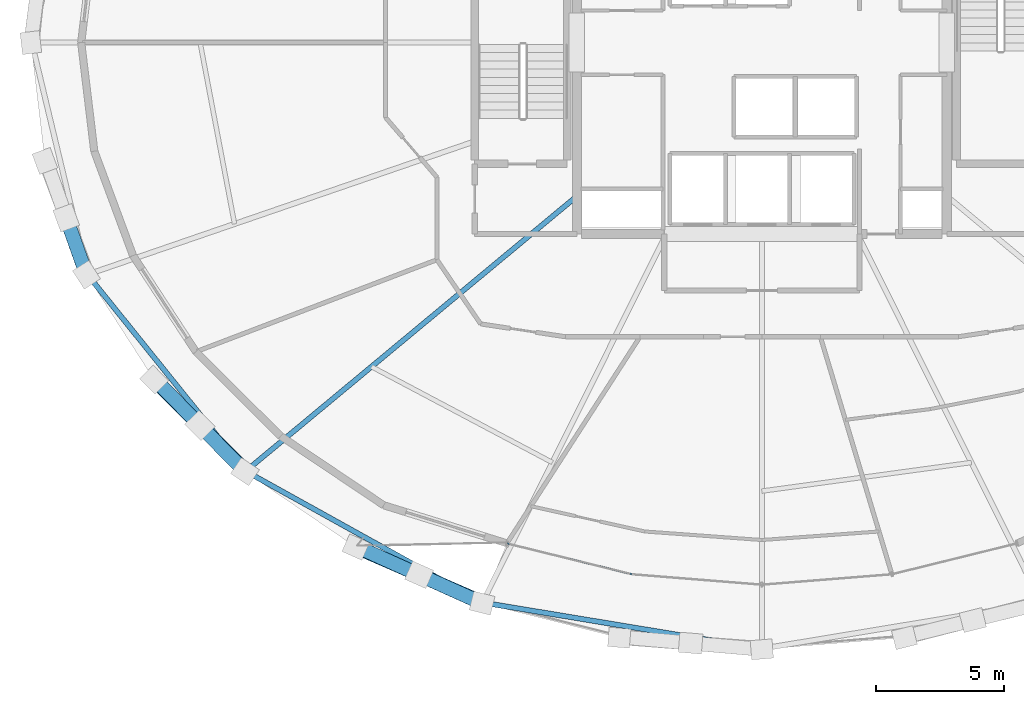
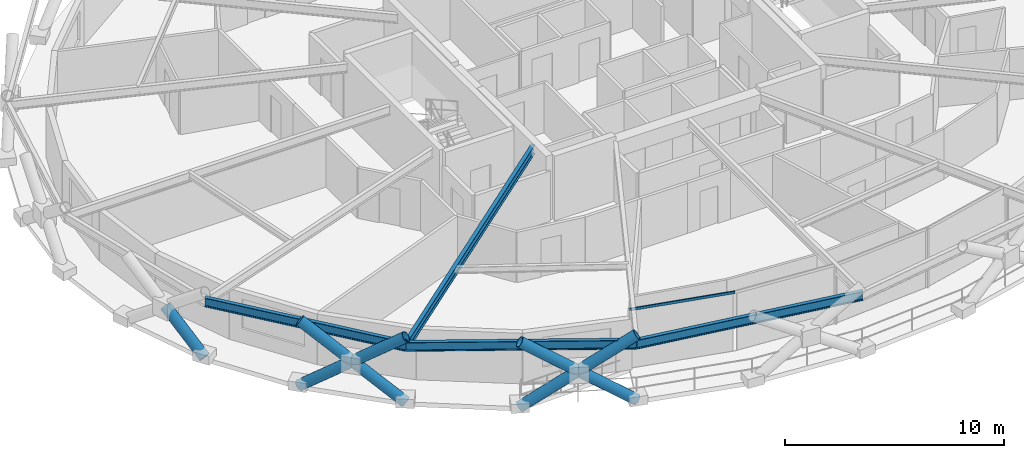
# One storey, part 1 of 21: 8 members, 4 beams, 1 element without a shape of its own.
"""IFC4 building model written with IfcOpenShell, lengths in metres."""

from ifc_helpers import new_model, si_unit, direction, frame, origin, origin_2d, place, context, subcontext, project, spatial, hollow_rectangle, hollow_circle, i_section, extrude, material, layer, layer_set, material_profile, profile_set, type_object, element, aggregate, save


model = new_model("IFC4")

# Units and contexts
model_context = context("Model", 3, precision=1e-05, world=origin(), true_north=direction((0.0, 1.0)))
body_context = subcontext(model_context, "Body", "Model", "MODEL_VIEW")
ifc_project = project(units=[si_unit("LENGTHUNIT", "METRE"), si_unit("AREAUNIT", "SQUARE_METRE"), si_unit("VOLUMEUNIT", "CUBIC_METRE"), si_unit("PLANEANGLEUNIT", "RADIAN"), si_unit("MASSUNIT", "GRAM", prefix="KILO")], contexts=[model_context])

# Site, building, storey
site_placement = place(None, origin())
site = spatial("IfcSite", under=ifc_project, at=site_placement, CompositionType="ELEMENT")
building_placement = place(site_placement, origin())
building = spatial("IfcBuilding", under=site, at=building_placement, Name="Veldorina Hangang Commons", CompositionType="ELEMENT")
storey_placement = place(building_placement, frame((0.0, 0.0, 138.800048828125)))
storey = spatial("IfcBuildingStorey", under=building, at=storey_placement, Name="L35", CompositionType="ELEMENT", Elevation=138.800048828125)

# Beams
ifc_material_1 = material(Name="Steel SM420-TMC", Category="steel")
ifc_material_profile_1 = material_profile(ifc_material_1, i_section(OverallWidth=0.199951171875, OverallDepth=0.5, WebThickness=0.010009765625, FlangeThickness=0.01611328125, FilletRadius=0.01611328125, at=origin_2d()), Name="H-500x200x10x16")
ifc_profile_set_1 = profile_set([ifc_material_profile_1], Name="Steel SM420-TMC")
beam_type_1 = type_object("IfcBeamType", Name="BM-FG500", PredefinedType="BEAM", material=ifc_profile_set_1)
beam_1_placement = place(storey_placement, frame((24.800048828125, 18.022705078125, 3.099853515625), z_axis=(-0.76940907392, -0.638756351804, 0.0), x_axis=(0.638756351804, -0.76940907392, 0.0)))
element("IfcBeam", 1, at=beam_1_placement, inside=storey, type_object=beam_type_1, Name="L35 radial floor girder 11", PredefinedType="BEAM", context=body_context, shape_type="SweptSolid", body=[
    extrude(i_section(OverallWidth=0.199951171875, OverallDepth=0.5, WebThickness=0.010009765625, FlangeThickness=0.01611328125, FilletRadius=0.01611328125, at=origin_2d()), origin(), (0.0, 0.0, 1.0), 16.761474609375),
])
ifc_material_profile_2 = material_profile(ifc_material_1, i_section(OverallWidth=0.199951171875, OverallDepth=0.5, WebThickness=0.010009765625, FlangeThickness=0.01611328125, FilletRadius=0.01611328125, at=origin_2d()), Name="H-500x200x10x16")
ifc_profile_set_2 = profile_set([ifc_material_profile_2], Name="Steel SM420-TMC")
beam_type_2 = type_object("IfcBeamType", Name="BM-RB500", PredefinedType="BEAM", material=ifc_profile_set_2)
beam_2_placement = place(storey_placement, frame((5.74267578125, 14.970703125, 3.099853515625), z_axis=(0.627004256478, -0.779015829338, 0.0), x_axis=(0.779015829338, 0.627004256478, 0.0)))
element("IfcBeam", 2, at=beam_2_placement, inside=storey, type_object=beam_type_2, Name="L35 perimeter hoop ring beam 18", PredefinedType="BEAM", context=body_context, shape_type="SweptSolid", body=[
    extrude(i_section(OverallWidth=0.199951171875, OverallDepth=0.5, WebThickness=0.010009765625, FlangeThickness=0.01611328125, FilletRadius=0.01611328125, at=origin_2d()), origin(), (0.0, 0.0, 1.0), 9.825927734375),
])
beam_3_placement = place(storey_placement, frame((11.903564453125, 7.316162109375, 3.099853515625), z_axis=(0.874462920475, -0.485092363076, 0.0), x_axis=(0.485092363076, 0.874462920475, 0.0)))
element("IfcBeam", 3, at=beam_3_placement, inside=storey, type_object=beam_type_2, Name="L35 perimeter hoop ring beam 20", PredefinedType="BEAM", context=body_context, shape_type="SweptSolid", body=[
    extrude(i_section(OverallWidth=0.199951171875, OverallDepth=0.5, WebThickness=0.010009765625, FlangeThickness=0.01611328125, FilletRadius=0.01611328125, at=origin_2d()), origin(), (0.0, 0.0, 1.0), 10.5439453125),
])
beam_4_placement = place(storey_placement, frame((21.123779296875, 2.201416015625, 3.099853515625), z_axis=(0.986640020354, -0.162915530982, 0.0), x_axis=(0.162915530982, 0.986640020354, 0.0)))
element("IfcBeam", 4, at=beam_4_placement, inside=storey, type_object=beam_type_2, Name="L35 perimeter hoop ring beam 22", PredefinedType="BEAM", context=body_context, shape_type="SweptSolid", body=[
    extrude(i_section(OverallWidth=0.199951171875, OverallDepth=0.5, WebThickness=0.010009765625, FlangeThickness=0.01611328125, FilletRadius=0.01611328125, at=origin_2d()), origin(), (0.0, 0.0, 1.0), 11.0234375),
])

# Curtain wall, member
ifc_material_2 = material(Name="Glass Low-E Triple IGU", Category="glass")
ifc_layer = layer(ifc_material_2, 0.179931640625)
ifc_layer_set = layer_set([ifc_layer], Name="Glass Low-E Triple IGU")
curtain_wall_type = type_object("IfcCurtainWallType", Name="CW-SYS-Z2", PredefinedType="NOTDEFINED", material=ifc_layer_set)
curtain_wall_placement = place(storey_placement, origin())
curtain_wall = element("IfcCurtainWall", 5, at=curtain_wall_placement, inside=storey, type_object=curtain_wall_type, Name="L35 unitised curtain wall CW-L35-R1", PredefinedType="NOTDEFINED")
ifc_material_3 = material(Name="Aluminium Anodized AA6063-T6", Category="aluminium")
ifc_material_profile_3 = material_profile(ifc_material_3, hollow_rectangle(XDim=0.06005859375, YDim=0.139892578125, WallThickness=0.00341796875, at=origin_2d()), Name="ALU-RHS-140x60x3.5")
ifc_profile_set_3 = profile_set([ifc_material_profile_3], Name="Aluminium Anodized AA6063-T6")
member_type_1 = type_object("IfcMemberType", Name="CW-TRN-140", PredefinedType="USERDEFINED", material=ifc_profile_set_3)
member_1_placement = place(storey_placement, frame((22.07373046875, 4.50537109375, 3.27001953125), z_axis=(0.970880100909, -0.239565919235, 0.0), x_axis=(0.239565919235, 0.970880100909, 0.0)))
member_1 = element("IfcMember", 6, at=member_1_placement, type_object=member_type_1, Name="CW-L35-R1 facet 1 transom 1", ObjectType="TRANSOM", PredefinedType="USERDEFINED", context=body_context, shape_type="SweptSolid", body=[
    extrude(hollow_rectangle(XDim=0.06005859375, YDim=0.139892578125, WallThickness=0.00341796875, at=origin_2d()), origin(), (0.0, 0.0, 1.0), 5.011962890625),
])
aggregate(curtain_wall, [member_1])

# Members
ifc_material_profile_4 = material_profile(ifc_material_1, hollow_circle(Radius=0.27490234375, WallThickness=0.028076171875, at=origin_2d()), Name="CHS-550x28")
ifc_profile_set_4 = profile_set([ifc_material_profile_4], Name="Steel SM420-TMC")
member_type_2 = type_object("IfcMemberType", Name="DG-CHS550", PredefinedType="BRACE", material=ifc_profile_set_4)
member_2_placement = place(storey_placement, frame((5.7080078125, 14.960693359375, 0.0), z_axis=(-0.266061532807, 0.748545024076, 0.60736447681), x_axis=(-0.942249574665, -0.334911539131, 0.0)))
element("IfcMember", 7, at=member_2_placement, inside=storey, type_object=member_type_2, Name="L35 split perimeter diagrid lower brace 18", PredefinedType="BRACE", context=body_context, shape_type="SweptSolid", body=[
    extrude(hollow_circle(Radius=0.27490234375, WallThickness=0.028076171875, at=origin_2d()), origin(), (0.0, 0.0, 1.0), 2.9658203125),
])
member_3_placement = place(storey_placement, frame((8.337890625, 10.876953125, 0.0), z_axis=(0.576370912783, -0.57443942771, 0.581219334494), x_axis=(0.705919000413, 0.708292570098, 0.0)))
element("IfcMember", 8, at=member_3_placement, inside=storey, type_object=member_type_2, Name="L35 continuous perimeter diagrid brace 19", PredefinedType="BRACE", context=body_context, shape_type="SweptSolid", body=[
    extrude(hollow_circle(Radius=0.27490234375, WallThickness=0.028076171875, at=origin_2d()), origin(), (0.0, 0.0, 1.0), 6.193603515625),
])
member_4_placement = place(storey_placement, frame((11.876953125, 7.297607421875, 0.0), z_axis=(-0.567116106404, 0.5820443716, 0.582755241371), x_axis=(-0.716232079487, -0.697862169998, 0.0)))
element("IfcMember", 9, at=member_4_placement, inside=storey, type_object=member_type_2, Name="L35 split perimeter diagrid lower brace 20", PredefinedType="BRACE", context=body_context, shape_type="SweptSolid", body=[
    extrude(hollow_circle(Radius=0.27490234375, WallThickness=0.028076171875, at=origin_2d()), origin(), (0.0, 0.0, 1.0), 3.091064453125),
])
member_5_placement = place(storey_placement, frame((10.1240234375, 9.0966796875, 1.80126953125), z_axis=(-0.566968615125, 0.582234371642, 0.582708954747), x_axis=(-0.716436622213, -0.6976521815, 0.0)))
element("IfcMember", 10, at=member_5_placement, inside=storey, type_object=member_type_2, Name="L35 split perimeter diagrid upper brace 20", PredefinedType="BRACE", context=body_context, shape_type="SweptSolid", body=[
    extrude(hollow_circle(Radius=0.27490234375, WallThickness=0.028076171875, at=origin_2d()), origin(), (0.0, 0.0, 1.0), 3.086669921875),
])
member_6_placement = place(storey_placement, frame((16.189453125, 4.360107421875, 0.0), z_axis=(0.761998222573, -0.332594644797, 0.555643330787), x_axis=(0.400031679124, 0.916501312436, 0.0)))
element("IfcMember", 11, at=member_6_placement, inside=storey, type_object=member_type_2, Name="L35 continuous perimeter diagrid brace 21", PredefinedType="BRACE", context=body_context, shape_type="SweptSolid", body=[
    extrude(hollow_circle(Radius=0.27490234375, WallThickness=0.028076171875, at=origin_2d()), origin(), (0.0, 0.0, 1.0), 6.478759765625),
])
member_7_placement = place(storey_placement, frame((21.109619140625, 2.17724609375, 0.0), z_axis=(-0.757252317701, 0.341461558306, 0.556752127554), x_axis=(-0.411063347068, -0.91160678184, 0.0)))
element("IfcMember", 12, at=member_7_placement, inside=storey, type_object=member_type_2, Name="L35 split perimeter diagrid lower brace 22", PredefinedType="BRACE", context=body_context, shape_type="SweptSolid", body=[
    extrude(hollow_circle(Radius=0.27490234375, WallThickness=0.028076171875, at=origin_2d()), origin(), (0.0, 0.0, 1.0), 3.2353515625),
])
member_8_placement = place(storey_placement, frame((18.65966796875, 3.281982421875, 1.80126953125), z_axis=(-0.757184698067, 0.341598446478, 0.556760122833), x_axis=(-0.411230790721, -0.911531259345, 0.0)))
element("IfcMember", 13, at=member_8_placement, inside=storey, type_object=member_type_2, Name="L35 split perimeter diagrid upper brace 22", PredefinedType="BRACE", context=body_context, shape_type="SweptSolid", body=[
    extrude(hollow_circle(Radius=0.27490234375, WallThickness=0.028076171875, at=origin_2d()), origin(), (0.0, 0.0, 1.0), 3.23046875),
])

save(model, "model.ifc")
